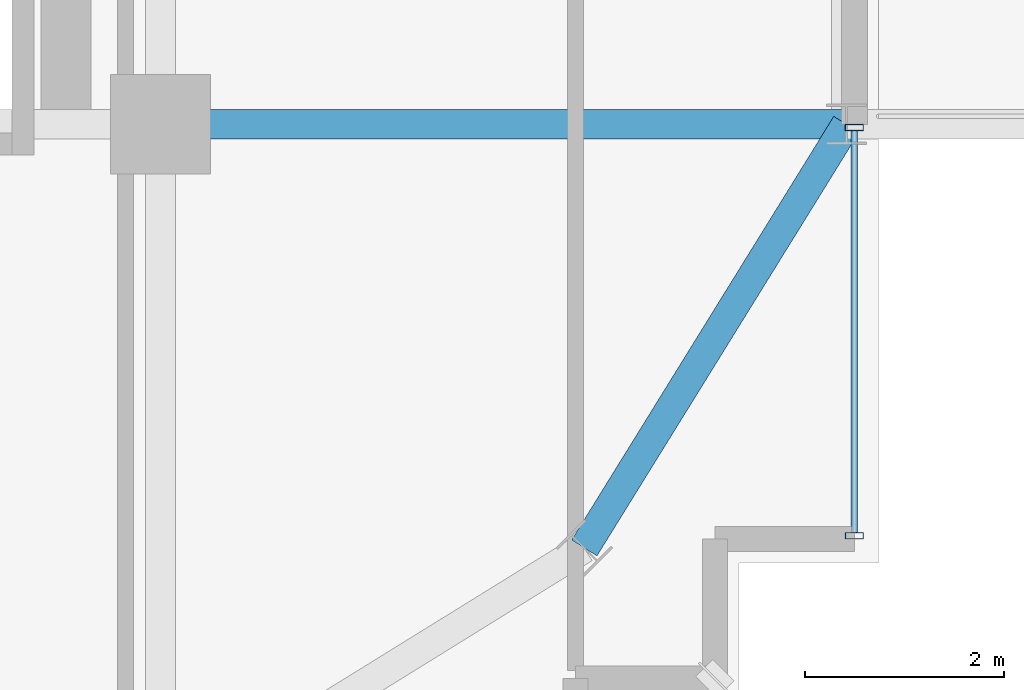
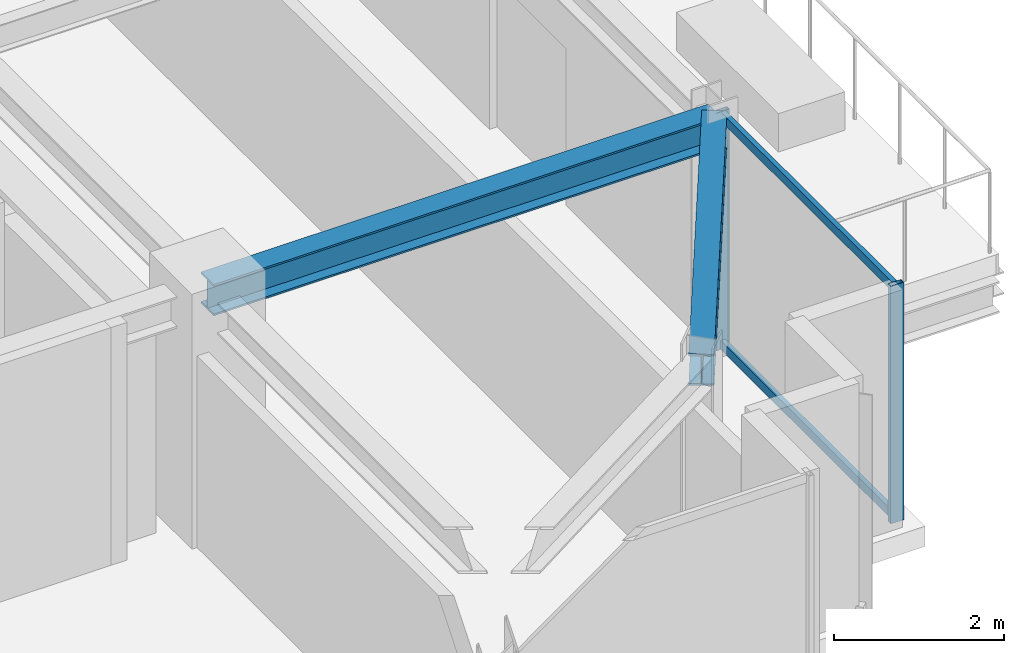
# One storey, part 13 of 42: 4 members, 2 beams, 1 element without a shape of its own.
"""IFC4 building model written with IfcOpenShell, lengths in metres."""

from ifc_helpers import new_model, si_unit, direction, frame, origin, origin_2d, place, context, subcontext, project, spatial, hollow_rectangle, i_section, extrude, source, transform, mapped, material, material_profile, profile_set, type_object, element, aggregate, save


model = new_model("IFC4")

# Units and contexts
model_context = context("Model", 3, precision=1e-05, world=origin(), true_north=direction((0.0, 1.0)))
body_context = subcontext(model_context, "Body", "Model", "MODEL_VIEW")
ifc_project = project(units=[si_unit("LENGTHUNIT", "METRE"), si_unit("AREAUNIT", "SQUARE_METRE"), si_unit("VOLUMEUNIT", "CUBIC_METRE"), si_unit("PLANEANGLEUNIT", "RADIAN"), si_unit("MASSUNIT", "GRAM", prefix="KILO")], contexts=[model_context])

# Site, building, storey
site_placement = place(None, origin())
site = spatial("IfcSite", under=ifc_project, at=site_placement, CompositionType="ELEMENT")
building_placement = place(site_placement, origin())
building = spatial("IfcBuilding", under=site, at=building_placement, Name="Nahalor Promenade Grand Hotel", CompositionType="ELEMENT")
storey_placement = place(building_placement, frame((0.0, 0.0, 249.300048828125)))
storey = spatial("IfcBuildingStorey", under=building, at=storey_placement, Name="L64", CompositionType="ELEMENT", Elevation=249.300048828125)

# Beams
ifc_material_1 = material(Name="Steel S355JR", Category="steel")
ifc_material_profile_1 = material_profile(ifc_material_1, i_section(OverallWidth=0.3, OverallDepth=0.45, WebThickness=0.014, FlangeThickness=0.026, at=origin_2d()), Name="HEB 450")
ifc_profile_set_1 = profile_set([ifc_material_profile_1], Name="Steel S355JR")
beam_type_1 = type_object("IfcBeamType", Name="Beam-Spandrel-HEB450", PredefinedType="SPANDREL", material=ifc_profile_set_1)
shared_shape_1 = source(origin(), body_context, "Body", "SweptSolid", [
    extrude(i_section(OverallWidth=0.3, OverallDepth=0.45, WebThickness=0.014, FlangeThickness=0.026, at=origin_2d()), origin(), (0.0, 0.0, 1.0), 4.997802734375),
])
beam_1_placement = place(storey_placement, frame((21.25, -21.25, 3.18505859375), z_axis=(0.526199891161, 0.850360908404, 0.0), x_axis=(-0.850360908404, 0.526199891161, 0.0)))
element("IfcBeam", 1, at=beam_1_placement, inside=storey, type_object=beam_type_1, Name="BM-L64-SPC-SE-2", PredefinedType="SPANDREL", context=body_context, shape_type="MappedRepresentation", body=[
    mapped(shared_shape_1, transform((0.0, 0.0, 0.0), scale=1.0)),
])
ifc_material_profile_2 = material_profile(ifc_material_1, i_section(OverallWidth=0.3, OverallDepth=0.45, WebThickness=0.014, FlangeThickness=0.026, at=origin_2d()), Name="HEB 450")
ifc_profile_set_2 = profile_set([ifc_material_profile_2], Name="Steel S355JR")
beam_type_2 = type_object("IfcBeamType", Name="Beam-Girder-HEB450", PredefinedType="BEAM", material=ifc_profile_set_2)
shared_shape_2 = source(origin(), body_context, "Body", "SweptSolid", [
    extrude(i_section(OverallWidth=0.3, OverallDepth=0.45, WebThickness=0.014, FlangeThickness=0.026, at=origin_2d()), origin(), (0.0, 0.0, 1.0), 6.8798828125),
])
beam_2_placement = place(storey_placement, frame((17.0, -17.0, 3.18505859375), z_axis=(1.0, 0.0, 0.0), x_axis=(0.0, 1.0, 0.0)))
element("IfcBeam", 2, at=beam_2_placement, inside=storey, type_object=beam_type_2, Name="BM-L64-GX-0-6", PredefinedType="BEAM", context=body_context, shape_type="MappedRepresentation", body=[
    mapped(shared_shape_2, transform((0.0, 0.0, 0.0), scale=1.0)),
])

# Curtain wall, members
ifc_material_2 = material(Name="Anodised Bronze Aluminium EN AW-6063 T6", Category="aluminium")
curtain_wall_type = type_object("IfcCurtainWallType", Name="CW2 Typical Hotel Flush Bronze Unitised Curtain Wall", PredefinedType="USERDEFINED", material=ifc_material_2)
curtain_wall_placement = place(storey_placement, origin())
curtain_wall = element("IfcCurtainWall", 3, at=curtain_wall_placement, inside=storey, type_object=curtain_wall_type, Name="L64 Curtain Wall CW-L64-E-1", ObjectType="UNITISED_CURTAIN_WALL", PredefinedType="USERDEFINED")
ifc_material_profile_3 = material_profile(ifc_material_2, hollow_rectangle(XDim=0.065, YDim=0.13, WallThickness=0.004, at=origin_2d()), Name="CWT 65x130x4")
ifc_profile_set_3 = profile_set([ifc_material_profile_3], Name="Anodised Bronze Aluminium EN AW-6063 T6")
member_type_1 = type_object("IfcMemberType", Name="CWT2 Typical Bronze Transom 65x130", PredefinedType="USERDEFINED", material=ifc_profile_set_3)
shared_shape_3 = source(origin(), body_context, "Body", "SweptSolid", [
    extrude(hollow_rectangle(XDim=0.065, YDim=0.13, WallThickness=0.004, at=origin_2d()), origin(), (0.0, 0.0, 1.0), 4.030029296875),
])
member_1_placement = place(storey_placement, frame((23.9599609375, -21.094970703125, 0.06494140625), z_axis=(0.0, 1.0, 0.0), x_axis=(-1.0, 0.0, 0.0)))
member_1 = element("IfcMember", 4, at=member_1_placement, type_object=member_type_1, Name="CW-L64-E-1 Transom 0-0", ObjectType="TRANSOM", PredefinedType="USERDEFINED", context=body_context, shape_type="MappedRepresentation", body=[
    mapped(shared_shape_3, transform((0.0, 0.0, 0.0), scale=1.0)),
])
member_2_placement = place(storey_placement, frame((23.9599609375, -21.094970703125, 3.344970703125), z_axis=(0.0, 1.0, 0.0), x_axis=(-1.0, 0.0, 0.0)))
member_2 = element("IfcMember", 5, at=member_2_placement, type_object=member_type_1, Name="CW-L64-E-1 Transom 0-1", ObjectType="TRANSOM", PredefinedType="USERDEFINED", context=body_context, shape_type="MappedRepresentation", body=[
    mapped(shared_shape_3, transform((0.0, 0.0, 0.0), scale=1.0)),
])
ifc_material_profile_4 = material_profile(ifc_material_2, hollow_rectangle(XDim=0.065, YDim=0.18, WallThickness=0.004, at=origin_2d()), Name="CWM 65x180x4")
ifc_profile_set_4 = profile_set([ifc_material_profile_4], Name="Anodised Bronze Aluminium EN AW-6063 T6")
member_type_2 = type_object("IfcMemberType", Name="CWM2 Typical Bronze Mullion 65x180", PredefinedType="MULLION", material=ifc_profile_set_4)
shared_shape_4 = source(origin(), body_context, "Body", "SweptSolid", [
    extrude(hollow_rectangle(XDim=0.065, YDim=0.18, WallThickness=0.004, at=origin_2d()), origin(), (0.0, 0.0, 1.0), 3.409912109375),
])
member_3_placement = place(storey_placement, frame((23.9599609375, -21.12744140625, 0.0), z_axis=(0.0, 0.0, 1.0), x_axis=(0.0, 1.0, 0.0)))
member_3 = element("IfcMember", 6, at=member_3_placement, type_object=member_type_2, Name="CW-L64-E-1 Mullion 0", PredefinedType="MULLION", context=body_context, shape_type="MappedRepresentation", body=[
    mapped(shared_shape_4, transform((0.0, 0.0, 0.0), scale=1.0)),
])
member_4_placement = place(storey_placement, frame((23.9599609375, -17.032470703125, 0.0), z_axis=(0.0, 0.0, 1.0), x_axis=(0.0, 1.0, 0.0)))
member_4 = element("IfcMember", 7, at=member_4_placement, type_object=member_type_2, Name="CW-L64-E-1 Mullion 1", PredefinedType="MULLION", context=body_context, shape_type="MappedRepresentation", body=[
    mapped(shared_shape_4, transform((0.0, 0.0, 0.0), scale=1.0)),
])
aggregate(curtain_wall, [member_3, member_4, member_1, member_2])

save(model, "model.ifc")
